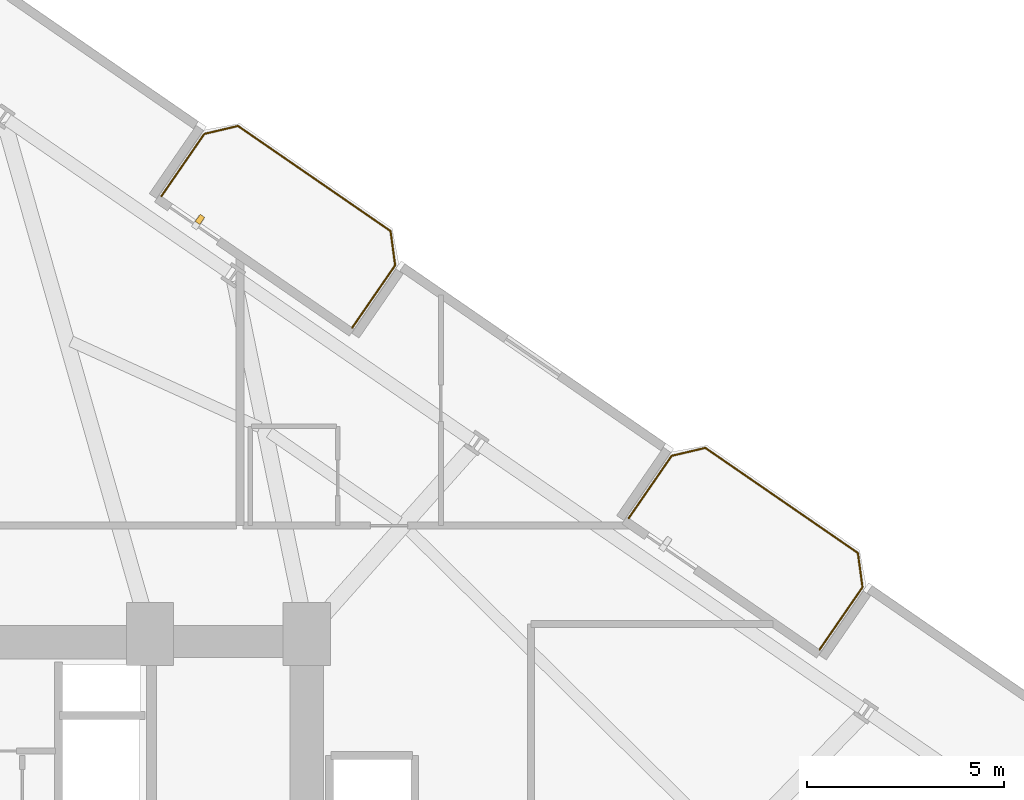
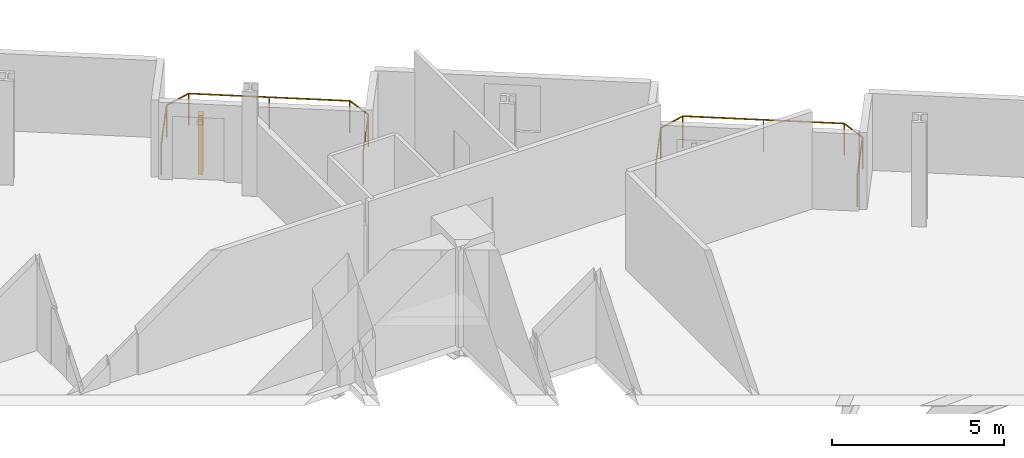
# One storey, part 25 of 25: 2 railings, 1 shading device.
"""IFC4 building model written with IfcOpenShell, lengths in metres."""

from ifc_helpers import new_model, si_unit, direction, frame, origin, origin_2d, place, context, subcontext, project, spatial, rectangle, circle, extrude, source, transform, mapped, material, type_object, element, save


model = new_model("IFC4")

# Units and contexts
model_context = context("Model", 3, precision=1e-05, world=origin(), true_north=direction((0.0, 1.0)))
body_context = subcontext(model_context, "Body", "Model", "MODEL_VIEW")
ifc_project = project(units=[si_unit("LENGTHUNIT", "METRE"), si_unit("AREAUNIT", "SQUARE_METRE"), si_unit("VOLUMEUNIT", "CUBIC_METRE"), si_unit("PLANEANGLEUNIT", "RADIAN"), si_unit("MASSUNIT", "GRAM", prefix="KILO")], contexts=[model_context])

# Site, building, storey
site_placement = place(None, origin())
site = spatial("IfcSite", under=ifc_project, at=site_placement, CompositionType="ELEMENT")
building_placement = place(site_placement, origin())
building = spatial("IfcBuilding", under=site, at=building_placement, Name="Varnelok Gate Tower", CompositionType="ELEMENT")
storey_placement = place(building_placement, frame((0.0, 0.0, 49.199951171875)))
storey = spatial("IfcBuildingStorey", under=building, at=storey_placement, Name="L11", CompositionType="ELEMENT", Elevation=49.199951171875)

# Railings
ifc_material_1 = material(Name="Low-E Laminated Double Glazing IGU", Category="glass")
railing_type = type_object("IfcRailingType", Name="RL-BALC-1150", PredefinedType="BALUSTRADE", material=ifc_material_1)
railing_1_placement = place(storey_placement, frame((44.010009765625, 50.158203125, 0.0)))
element("IfcRailing", 1, at=railing_1_placement, inside=storey, type_object=railing_type, Name="L11 North Terrace Balustrade 3", PredefinedType="BALUSTRADE", context=body_context, shape_type="SweptSolid", body=[
    extrude(circle(Radius=0.02392578125, at=origin_2d()), frame((0.0, 0.0, 1.1259765625), z_axis=(0.567284155424, 0.82352212296, 0.0), x_axis=(-0.82352212296, 0.567284155424, 0.0)), (0.0, 0.0, 1.0), 1.919921875),
    extrude(circle(Radius=0.02392578125, at=origin_2d()), frame((1.089111328125, 1.5810546875, 1.1259765625), z_axis=(0.973526462254, 0.228574336467, 0.0), x_axis=(-0.228574336467, 0.973526462254, 0.0)), (0.0, 0.0, 1.0), 0.8779296875),
    extrude(circle(Radius=0.02392578125, at=origin_2d()), frame((1.94384765625, 1.78173828125, 1.1259765625), z_axis=(0.823523239622, -0.567282534371, 0.0), x_axis=(0.567282534371, 0.823523239622, 0.0)), (0.0, 0.0, 1.0), 4.699951171875),
    extrude(circle(Radius=0.02392578125, at=origin_2d()), frame((5.814453125, -0.884521484375, 1.1259765625), z_axis=(0.133238627421, -0.991083986433, 0.0), x_axis=(0.991083986433, 0.133238627421, 0.0)), (0.0, 0.0, 1.0), 0.877685546875),
    extrude(circle(Radius=0.02392578125, at=origin_2d()), frame((5.931396484375, -1.75439453125, 1.1259765625), z_axis=(-0.567224752248, -0.823563039747, 0.0), x_axis=(0.823563039747, -0.567224752248, 0.0)), (0.0, 0.0, 1.0), 1.920166015625),
    extrude(circle(Radius=0.02099609375, at=origin_2d()), origin(), (0.0, 0.0, 1.0), 1.101806640625),
    extrude(circle(Radius=0.02099609375, at=origin_2d()), frame((1.089111328125, 1.5810546875, 0.0)), (0.0, 0.0, 1.0), 1.101806640625),
    extrude(circle(Radius=0.02099609375, at=origin_2d()), frame((1.94384765625, 1.78173828125, 0.0)), (0.0, 0.0, 1.0), 1.101806640625),
    extrude(circle(Radius=0.02099609375, at=origin_2d()), frame((3.879150390625, 0.44873046875, 0.0)), (0.0, 0.0, 1.0), 1.101806640625),
    extrude(circle(Radius=0.02099609375, at=origin_2d()), frame((5.814453125, -0.884521484375, 0.0)), (0.0, 0.0, 1.0), 1.101806640625),
    extrude(circle(Radius=0.02099609375, at=origin_2d()), frame((5.931396484375, -1.75439453125, 0.0)), (0.0, 0.0, 1.0), 1.101806640625),
    extrude(circle(Radius=0.02099609375, at=origin_2d()), frame((4.84228515625, -3.335693359375, 0.0)), (0.0, 0.0, 1.0), 1.101806640625),
])
railing_2_placement = place(storey_placement, frame((55.868896484375, 41.989501953125, 0.0)))
element("IfcRailing", 2, at=railing_2_placement, inside=storey, type_object=railing_type, Name="L11 North Terrace Balustrade 4", PredefinedType="BALUSTRADE", context=body_context, shape_type="SweptSolid", body=[
    extrude(circle(Radius=0.02392578125, at=origin_2d()), frame((0.0, 0.0, 1.1259765625), z_axis=(0.567284155424, 0.82352212296, 0.0), x_axis=(-0.82352212296, 0.567284155424, 0.0)), (0.0, 0.0, 1.0), 1.919921875),
    extrude(circle(Radius=0.02392578125, at=origin_2d()), frame((1.089111328125, 1.5810546875, 1.1259765625), z_axis=(0.973526462254, 0.228574336467, 0.0), x_axis=(-0.228574336467, 0.973526462254, 0.0)), (0.0, 0.0, 1.0), 0.8779296875),
    extrude(circle(Radius=0.02392578125, at=origin_2d()), frame((1.94384765625, 1.78173828125, 1.1259765625), z_axis=(0.823523239622, -0.567282534371, 0.0), x_axis=(0.567282534371, 0.823523239622, 0.0)), (0.0, 0.0, 1.0), 4.699951171875),
    extrude(circle(Radius=0.02392578125, at=origin_2d()), frame((5.814453125, -0.884521484375, 1.1259765625), z_axis=(0.133238627421, -0.991083986433, 0.0), x_axis=(0.991083986433, 0.133238627421, 0.0)), (0.0, 0.0, 1.0), 0.877685546875),
    extrude(circle(Radius=0.02392578125, at=origin_2d()), frame((5.931396484375, -1.75439453125, 1.1259765625), z_axis=(-0.567224752248, -0.823563039747, 0.0), x_axis=(0.823563039747, -0.567224752248, 0.0)), (0.0, 0.0, 1.0), 1.920166015625),
    extrude(circle(Radius=0.02099609375, at=origin_2d()), origin(), (0.0, 0.0, 1.0), 1.101806640625),
    extrude(circle(Radius=0.02099609375, at=origin_2d()), frame((1.089111328125, 1.5810546875, 0.0)), (0.0, 0.0, 1.0), 1.101806640625),
    extrude(circle(Radius=0.02099609375, at=origin_2d()), frame((1.94384765625, 1.78173828125, 0.0)), (0.0, 0.0, 1.0), 1.101806640625),
    extrude(circle(Radius=0.02099609375, at=origin_2d()), frame((3.879150390625, 0.44873046875, 0.0)), (0.0, 0.0, 1.0), 1.101806640625),
    extrude(circle(Radius=0.02099609375, at=origin_2d()), frame((5.814453125, -0.884521484375, 0.0)), (0.0, 0.0, 1.0), 1.101806640625),
    extrude(circle(Radius=0.02099609375, at=origin_2d()), frame((5.931396484375, -1.75439453125, 0.0)), (0.0, 0.0, 1.0), 1.101806640625),
    extrude(circle(Radius=0.02099609375, at=origin_2d()), frame((4.84228515625, -3.335693359375, 0.0)), (0.0, 0.0, 1.0), 1.101806640625),
])

# Shading device
ifc_material_2 = material(Name="Glazed Architectural Terracotta Ceramic", Category="masonry")
shading_device_type = type_object("IfcShadingDeviceType", Name="SHD-TERRA-FIN", PredefinedType="USERDEFINED", material=ifc_material_2)
shared_shape = source(origin(), body_context, "Body", "SweptSolid", [
    extrude(rectangle(XDim=0.139892578125, YDim=0.219970703125, at=origin_2d()), origin(), (0.0, 0.0, 1.0), 2.10009765625),
])
shading_device_placement = place(storey_placement, frame((44.988525390625, 49.569091796875, 0.10009765625), z_axis=(0.0, 0.0, 1.0), x_axis=(0.823532597628, -0.567268949127, 0.0)))
element("IfcShadingDevice", 3, at=shading_device_placement, inside=storey, type_object=shading_device_type, Name="L11 Terracotta Ceramic Baguette Sunscreen 3.1", ObjectType="BAGUETTE", PredefinedType="USERDEFINED", context=body_context, shape_type="MappedRepresentation", body=[
    mapped(shared_shape, transform((0.0, 0.0, 0.0), scale=1.0)),
])

save(model, "model.ifc")
